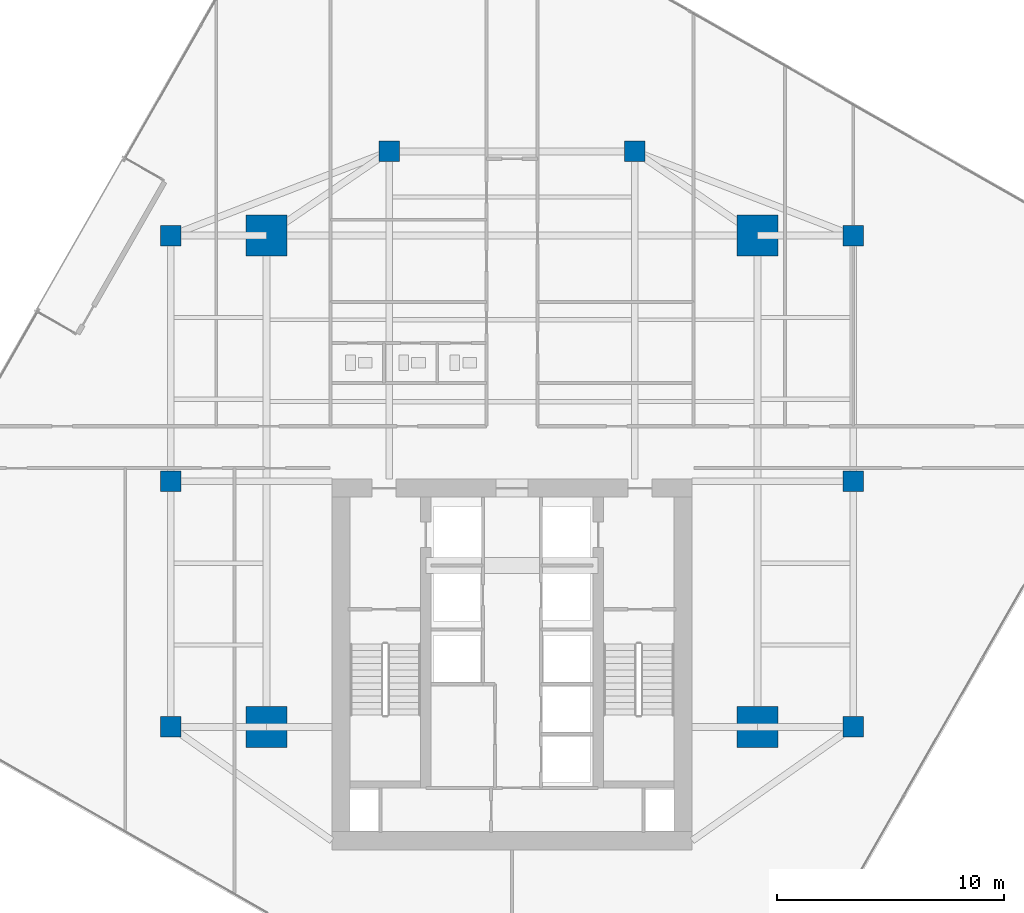
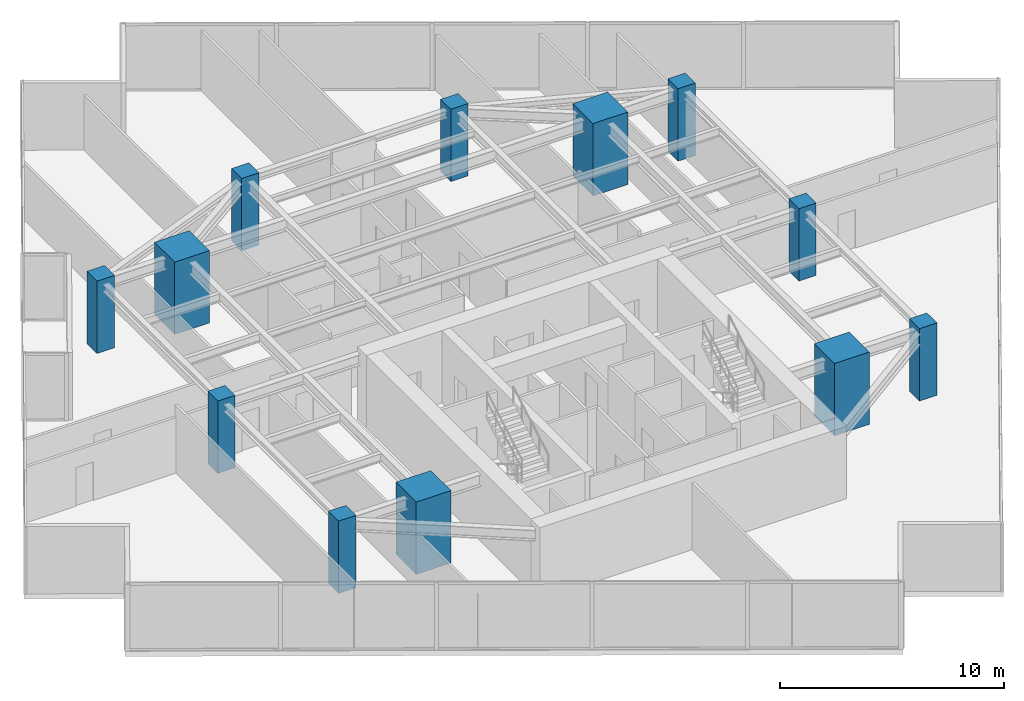
# One storey, part 1 of 24: 12 columns.
"""IFC4 building model written with IfcOpenShell, lengths in metres."""

from ifc_helpers import new_model, si_unit, direction, frame, origin, origin_2d, place, context, subcontext, project, spatial, rectangle, extrude, source, transform, mapped, material, material_profile, profile_set, type_object, type_shapes, element, save


model = new_model("IFC4")

# Units and contexts
model_context = context("Model", 3, precision=1e-05, world=origin(), true_north=direction((0.0, 1.0)))
body_context = subcontext(model_context, "Body", "Model", "MODEL_VIEW")
ifc_project = project(units=[si_unit("LENGTHUNIT", "METRE"), si_unit("AREAUNIT", "SQUARE_METRE"), si_unit("VOLUMEUNIT", "CUBIC_METRE"), si_unit("PLANEANGLEUNIT", "RADIAN"), si_unit("MASSUNIT", "GRAM", prefix="KILO")], contexts=[model_context])

# Site, building, storey
site_placement = place(None, origin())
site = spatial("IfcSite", under=ifc_project, at=site_placement, CompositionType="ELEMENT")
building_placement = place(site_placement, origin())
building = spatial("IfcBuilding", under=site, at=building_placement, Name="Krantzveldt Concourse Tower", CompositionType="ELEMENT")
storey_placement = place(building_placement, frame((0.0, 0.0, 162.0)))
storey = spatial("IfcBuildingStorey", under=building, at=storey_placement, Name="L39", CompositionType="ELEMENT", Elevation=162.0)

# Columns
ifc_material = material(Name="Concrete C50/60", Category="concrete")
ifc_material_profile_1 = material_profile(ifc_material, rectangle(XDim=1.800048828125, YDim=1.800048828125, at=origin_2d()), Name="Concrete C50/60", Category="concrete")
ifc_profile_set_1 = profile_set([ifc_material_profile_1], Name="Concrete C50/60 - RC 1800x1800")
column_type_1 = type_object("IfcColumnType", Name="COL-MC-1800", PredefinedType="USERDEFINED", material=ifc_profile_set_1)
shared_shape_1 = source(origin(), body_context, "Body", "SweptSolid", [
    extrude(rectangle(XDim=1.800048828125, YDim=1.800048828125, at=origin_2d()), origin(), (0.0, 0.0, 1.0), 3.949951171875),
])
type_shapes(column_type_1, [shared_shape_1])
for number, where, z_axis, x_axis, name in (
    (1, (25.199951171875, 15.89990234375, 0.0), (0.0, 0.0, 1.0), (1.0, 0.0, 0.0), "MC-SW-L39"),
    (2, (46.800048828125, 15.89990234375, 0.0), (0.0, 0.0, 1.0), (1.0, 0.0, 0.0), "MC-SE-L39"),
    (3, (46.800048828125, 37.5, 0.0), (0.0, 0.0, 1.0), (1.0, 0.0, 0.0), "MC-NE-L39"),
    (4, (25.199951171875, 37.5, 0.0), (0.0, 0.0, 1.0), (1.0, 0.0, 0.0), "MC-NW-L39"),
):
    element("IfcColumn", number, at=place(storey_placement, frame(where, z_axis=z_axis, x_axis=x_axis)), inside=storey, type_object=column_type_1, Name=name, ObjectType="MEGA COLUMN", PredefinedType="USERDEFINED", context=body_context, shape_type="MappedRepresentation", body=[
        mapped(shared_shape_1, transform((0.0, 0.0, 0.0), x_axis=(1.0, 0.0, 0.0), y_axis=(0.0, 1.0, 0.0), z_axis=(0.0, 0.0, 1.0), scale=1.0)),
    ])
ifc_material_profile_2 = material_profile(ifc_material, rectangle(XDim=0.89990234375, YDim=0.89990234375, at=origin_2d()), Name="Concrete C50/60", Category="concrete")
ifc_profile_set_2 = profile_set([ifc_material_profile_2], Name="Concrete C50/60 - RC 900x900")
column_type_2 = type_object("IfcColumnType", Name="COL-C-Z3", PredefinedType="COLUMN", material=ifc_profile_set_2)
shared_shape_2 = source(origin(), body_context, "Body", "SweptSolid", [
    extrude(rectangle(XDim=0.89990234375, YDim=0.89990234375, at=origin_2d()), origin(), (0.0, 0.0, 1.0), 3.949951171875),
])
type_shapes(column_type_2, [shared_shape_2])
for number, where, z_axis, x_axis, name in (
    (5, (21.0, 15.89990234375, 0.0), (0.0, 0.0, 1.0), (1.0, 0.0, 0.0), "PC-R01-L39"),
    (6, (21.0, 26.699951171875, 0.0), (0.0, 0.0, 1.0), (1.0, 0.0, 0.0), "PC-R02-L39"),
    (7, (21.0, 37.5, 0.0), (0.0, 0.0, 1.0), (1.0, 0.0, 0.0), "PC-R03-L39"),
    (8, (30.60009765625, 41.199951171875, 0.0), (0.0, 0.0, 1.0), (1.0, 0.0, 0.0), "PC-R04-L39"),
    (9, (41.39990234375, 41.199951171875, 0.0), (0.0, 0.0, 1.0), (1.0, 0.0, 0.0), "PC-R05-L39"),
    (10, (51.0, 37.5, 0.0), (0.0, 0.0, 1.0), (1.0, 0.0, 0.0), "PC-R06-L39"),
    (11, (51.0, 26.699951171875, 0.0), (0.0, 0.0, 1.0), (1.0, 0.0, 0.0), "PC-R07-L39"),
    (12, (51.0, 15.89990234375, 0.0), (0.0, 0.0, 1.0), (1.0, 0.0, 0.0), "PC-R08-L39"),
):
    element("IfcColumn", number, at=place(storey_placement, frame(where, z_axis=z_axis, x_axis=x_axis)), inside=storey, type_object=column_type_2, Name=name, PredefinedType="COLUMN", context=body_context, shape_type="MappedRepresentation", body=[
        mapped(shared_shape_2, transform((0.0, 0.0, 0.0), x_axis=(1.0, 0.0, 0.0), y_axis=(0.0, 1.0, 0.0), z_axis=(0.0, 0.0, 1.0), scale=1.0)),
    ])

save(model, "model.ifc")
